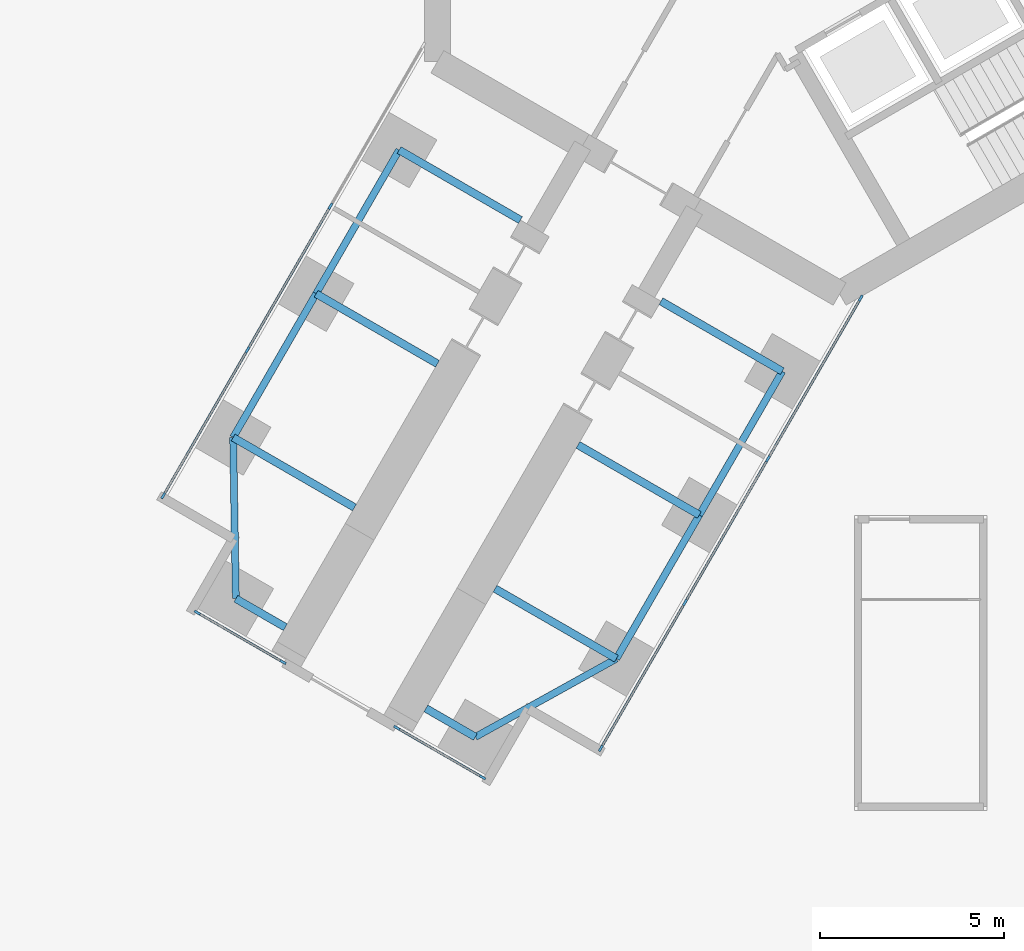
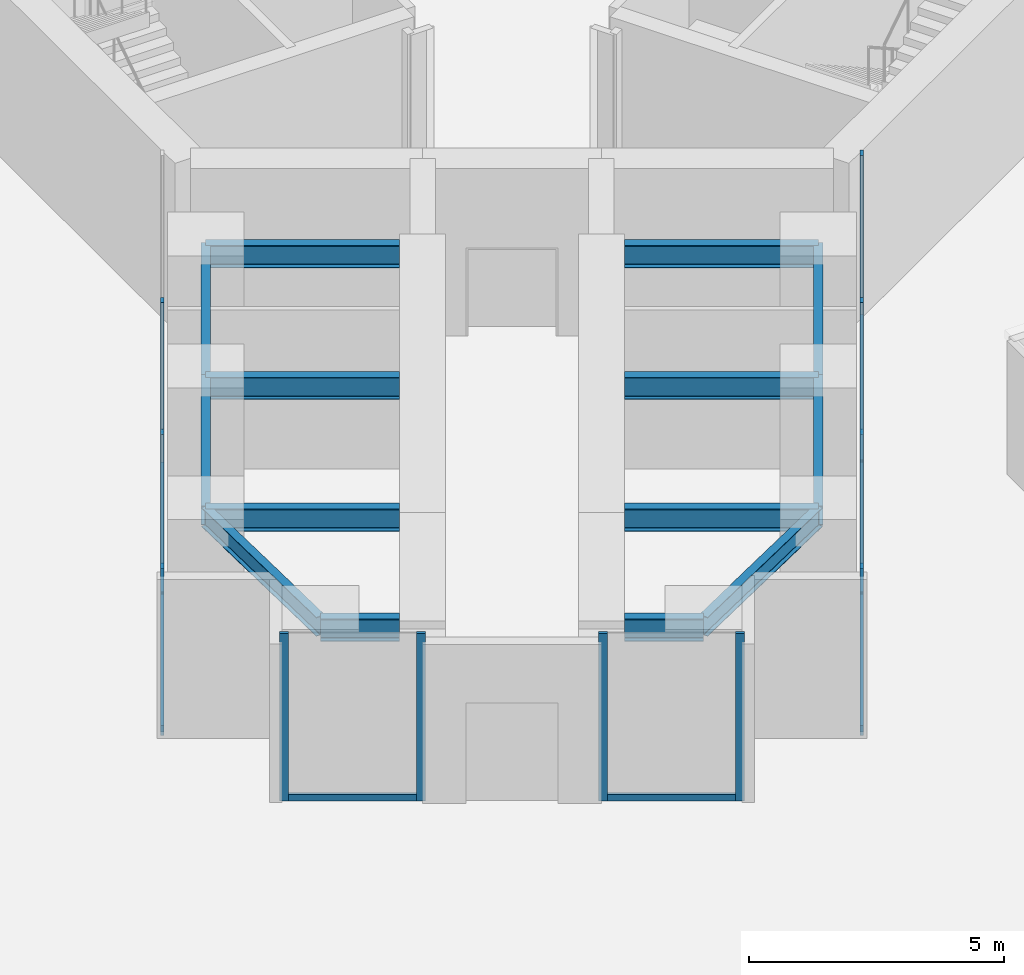
# One storey, part 2 of 23: 18 members, 14 beams, 4 elements without a shape of their own.
"""IFC4 building model written with IfcOpenShell, lengths in metres."""

from ifc_helpers import new_model, si_unit, direction, frame, origin, origin_2d, place, context, subcontext, project, spatial, rectangle, i_section, extrude, material, material_profile, profile_set, type_object, element, aggregate, save


model = new_model("IFC4")

# Units and contexts
model_context = context("Model", 3, precision=1e-05, world=origin(), true_north=direction((0.0, 1.0)))
body_context = subcontext(model_context, "Body", "Model", "MODEL_VIEW")
ifc_project = project(units=[si_unit("LENGTHUNIT", "METRE"), si_unit("AREAUNIT", "SQUARE_METRE"), si_unit("VOLUMEUNIT", "CUBIC_METRE"), si_unit("PLANEANGLEUNIT", "RADIAN"), si_unit("MASSUNIT", "GRAM", prefix="KILO")], contexts=[model_context])

# Site, building, storey
site_placement = place(None, origin())
site = spatial("IfcSite", under=ifc_project, at=site_placement, CompositionType="ELEMENT")
building_placement = place(site_placement, origin())
building = spatial("IfcBuilding", under=site, at=building_placement, Name="Upepo Twin Towers", CompositionType="ELEMENT")
storey_placement = place(building_placement, frame((0.0, 0.0, 20.5)))
storey = spatial("IfcBuildingStorey", under=building, at=storey_placement, Name="L04", CompositionType="ELEMENT", Elevation=20.5)

# Beams
ifc_material_1 = material(Name="Steel S355", Category="steel")
ifc_material_profile_1 = material_profile(ifc_material_1, i_section(OverallWidth=0.1904296875, OverallDepth=0.45703125, WebThickness=0.009033203125, FlangeThickness=0.014404296875, FilletRadius=0.01025390625, at=origin_2d()), Name="UB 457x191x74")
ifc_profile_set_1 = profile_set([ifc_material_profile_1], Name="Steel S355")
beam_type_1 = type_object("IfcBeamType", Name="Beam UB 457x191x74", PredefinedType="BEAM", material=ifc_profile_set_1)
beam_1_placement = place(storey_placement, frame((-1.553955078125, -14.69140625, 3.571533203125), z_axis=(-0.500013631625, -0.866017533419, 0.0), x_axis=(0.866017533419, -0.500013631625, 0.0)))
element("IfcBeam", 1, at=beam_1_placement, inside=storey, type_object=beam_type_1, Name="T1 edge beam CL 13.5-18.0", PredefinedType="BEAM", context=body_context, shape_type="SweptSolid", body=[
    extrude(i_section(OverallWidth=0.1904296875, OverallDepth=0.45703125, WebThickness=0.009033203125, FlangeThickness=0.014404296875, FilletRadius=0.01025390625, at=origin_2d()), origin(), (0.0, 0.0, 1.0), 4.499755859375),
])
beam_2_placement = place(storey_placement, frame((-3.803955078125, -18.58837890625, 3.571533203125), z_axis=(-0.499990139034, -0.866031096941, 0.0), x_axis=(0.866031096941, -0.499990139034, 0.0)))
element("IfcBeam", 2, at=beam_2_placement, inside=storey, type_object=beam_type_1, Name="T1 edge beam CL 18.0-22.5", PredefinedType="BEAM", context=body_context, shape_type="SweptSolid", body=[
    extrude(i_section(OverallWidth=0.1904296875, OverallDepth=0.45703125, WebThickness=0.009033203125, FlangeThickness=0.014404296875, FilletRadius=0.01025390625, at=origin_2d()), origin(), (0.0, 0.0, 1.0), 4.5),
])
beam_3_placement = place(storey_placement, frame((-6.053955078125, -22.485595703125, 3.571533203125), z_axis=(-0.874312600038, -0.485363242752, 0.0), x_axis=(0.485363242752, -0.874312600038, 0.0)))
element("IfcBeam", 3, at=beam_3_placement, inside=storey, type_object=beam_type_1, Name="T1 nose edge beam CL", PredefinedType="BEAM", context=body_context, shape_type="SweptSolid", body=[
    extrude(i_section(OverallWidth=0.1904296875, OverallDepth=0.45703125, WebThickness=0.009033203125, FlangeThickness=0.014404296875, FilletRadius=0.01025390625, at=origin_2d()), origin(), (0.0, 0.0, 1.0), 4.373046875),
])
beam_4_placement = place(storey_placement, frame((-11.946044921875, -8.69140625, 3.571533203125), z_axis=(-0.500013631625, -0.866017533419, 0.0), x_axis=(0.866017533419, -0.500013631625, 0.0)))
element("IfcBeam", 4, at=beam_4_placement, inside=storey, type_object=beam_type_1, Name="T1 edge beam CR 13.5-18.0", PredefinedType="BEAM", context=body_context, shape_type="SweptSolid", body=[
    extrude(i_section(OverallWidth=0.1904296875, OverallDepth=0.45703125, WebThickness=0.009033203125, FlangeThickness=0.014404296875, FilletRadius=0.01025390625, at=origin_2d()), origin(), (0.0, 0.0, 1.0), 4.499755859375),
])
beam_5_placement = place(storey_placement, frame((-14.196044921875, -12.58837890625, 3.571533203125), z_axis=(-0.499990139034, -0.866031096941, 0.0), x_axis=(0.866031096941, -0.499990139034, 0.0)))
element("IfcBeam", 5, at=beam_5_placement, inside=storey, type_object=beam_type_1, Name="T1 edge beam CR 18.0-22.5", PredefinedType="BEAM", context=body_context, shape_type="SweptSolid", body=[
    extrude(i_section(OverallWidth=0.1904296875, OverallDepth=0.45703125, WebThickness=0.009033203125, FlangeThickness=0.014404296875, FilletRadius=0.01025390625, at=origin_2d()), origin(), (0.0, 0.0, 1.0), 4.5),
])
beam_6_placement = place(storey_placement, frame((-16.446044921875, -16.485595703125, 3.571533203125), z_axis=(0.016803880528, -0.999858804832, 0.0), x_axis=(0.999858804832, 0.016803880528, 0.0)))
element("IfcBeam", 6, at=beam_6_placement, inside=storey, type_object=beam_type_1, Name="T1 nose edge beam CR", PredefinedType="BEAM", context=body_context, shape_type="SweptSolid", body=[
    extrude(i_section(OverallWidth=0.1904296875, OverallDepth=0.45703125, WebThickness=0.009033203125, FlangeThickness=0.014404296875, FilletRadius=0.01025390625, at=origin_2d()), origin(), (0.0, 0.0, 1.0), 4.373291015625),
])
ifc_material_2 = material(Name="Steel S355", Category="steel")
ifc_material_profile_2 = material_profile(ifc_material_2, i_section(OverallWidth=0.2099609375, OverallDepth=0.53662109375, WebThickness=0.0107421875, FlangeThickness=0.017333984375, FilletRadius=0.0126953125, at=origin_2d()), Name="UB 533x210x101")
ifc_profile_set_2 = profile_set([ifc_material_profile_2], Name="Steel S355")
beam_type_2 = type_object("IfcBeamType", Name="Beam UB 533x210x101", PredefinedType="BEAM", material=ifc_profile_set_2)
for number, where, z_axis, x_axis, name in (
    (7, (-9.87744140625, -24.608154296875, 3.53173828125), (-0.866043940782, 0.499967891604, 0.0), (-0.499967891604, -0.866043940782, 0.0), "T1 nose beam CL"),
    (8, (-16.37255859375, -20.858154296875, 3.53173828125), (0.866043940782, -0.499967891604, 0.0), (0.499967891604, 0.866043940782, 0.0), "T1 nose beam CR"),
):
    element("IfcBeam", number, at=place(storey_placement, frame(where, z_axis=z_axis, x_axis=x_axis)), inside=storey, type_object=beam_type_2, Name=name, PredefinedType="BEAM", context=body_context, shape_type="SweptSolid", body=[
        extrude(i_section(OverallWidth=0.2099609375, OverallDepth=0.53662109375, WebThickness=0.0107421875, FlangeThickness=0.017333984375, FilletRadius=0.0126953125, at=origin_2d()), origin(), (0.0, 0.0, 1.0), 1.5498046875),
    ])
ifc_material_3 = material(Name="Steel S355", Category="steel")
ifc_material_profile_3 = material_profile(ifc_material_3, i_section(OverallWidth=0.209228515625, OverallDepth=0.533203125, WebThickness=0.010009765625, FlangeThickness=0.015625, FilletRadius=0.0126953125, at=origin_2d()), Name="UB 533x210x92")
ifc_profile_set_3 = profile_set([ifc_material_profile_3], Name="Steel S355")
beam_type_3 = type_object("IfcBeamType", Name="Beam UB 533x210x92", PredefinedType="BEAM", material=ifc_profile_set_3)
beam_7_placement = place(storey_placement, frame((-1.553955078125, -14.69140625, 3.533447265625), z_axis=(-0.866000483506, 0.500043160704, 0.0), x_axis=(-0.500043160704, -0.866000483506, 0.0)))
element("IfcBeam", 9, at=beam_7_placement, inside=storey, type_object=beam_type_3, Name="T1 girder CL at 13.5", PredefinedType="BEAM", context=body_context, shape_type="SweptSolid", body=[
    extrude(i_section(OverallWidth=0.209228515625, OverallDepth=0.533203125, WebThickness=0.010009765625, FlangeThickness=0.015625, FilletRadius=0.0126953125, at=origin_2d()), origin(), (0.0, 0.0, 1.0), 3.800048828125),
])
for number, where, z_axis, x_axis, name in (
    (10, (-3.803955078125, -18.58837890625, 3.533447265625), (-0.866028304915, 0.499994975061, 0.0), (-0.499994975061, -0.866028304915, 0.0), "T1 girder CL at 18.0"),
    (11, (-6.053955078125, -22.485595703125, 3.533447265625), (-0.866028304915, 0.499994975061, 0.0), (-0.499994975061, -0.866028304915, 0.0), "T1 girder CL at 22.5"),
    (12, (-11.946044921875, -8.69140625, 3.533447265625), (0.866028304915, -0.499994975061, 0.0), (0.499994975061, 0.866028304915, 0.0), "T1 girder CR at 13.5"),
):
    element("IfcBeam", number, at=place(storey_placement, frame(where, z_axis=z_axis, x_axis=x_axis)), inside=storey, type_object=beam_type_3, Name=name, PredefinedType="BEAM", context=body_context, shape_type="SweptSolid", body=[
        extrude(i_section(OverallWidth=0.209228515625, OverallDepth=0.533203125, WebThickness=0.010009765625, FlangeThickness=0.015625, FilletRadius=0.0126953125, at=origin_2d()), origin(), (0.0, 0.0, 1.0), 3.7998046875),
    ])
beam_8_placement = place(storey_placement, frame((-14.196044921875, -12.58837890625, 3.533447265625), z_axis=(0.866000483506, -0.500043160704, 0.0), x_axis=(0.500043160704, 0.866000483506, 0.0)))
element("IfcBeam", 13, at=beam_8_placement, inside=storey, type_object=beam_type_3, Name="T1 girder CR at 18.0", PredefinedType="BEAM", context=body_context, shape_type="SweptSolid", body=[
    extrude(i_section(OverallWidth=0.209228515625, OverallDepth=0.533203125, WebThickness=0.010009765625, FlangeThickness=0.015625, FilletRadius=0.0126953125, at=origin_2d()), origin(), (0.0, 0.0, 1.0), 3.800048828125),
])
beam_9_placement = place(storey_placement, frame((-16.446044921875, -16.485595703125, 3.533447265625), z_axis=(0.866028304915, -0.499994975061, 0.0), x_axis=(0.499994975061, 0.866028304915, 0.0)))
element("IfcBeam", 14, at=beam_9_placement, inside=storey, type_object=beam_type_3, Name="T1 girder CR at 22.5", PredefinedType="BEAM", context=body_context, shape_type="SweptSolid", body=[
    extrude(i_section(OverallWidth=0.209228515625, OverallDepth=0.533203125, WebThickness=0.010009765625, FlangeThickness=0.015625, FilletRadius=0.0126953125, at=origin_2d()), origin(), (0.0, 0.0, 1.0), 3.7998046875),
])

# Curtain wall, members
ifc_material_4 = material(Name="Aluminium and fritted glass", Category="aluminium")
curtain_wall_type = type_object("IfcCurtainWallType", Name="Tower curtain wall TW1, fritted glass", PredefinedType="NOTDEFINED", material=ifc_material_4)
curtain_wall_1_placement = place(storey_placement, origin())
curtain_wall_1 = element("IfcCurtainWall", 15, at=curtain_wall_1_placement, inside=storey, type_object=curtain_wall_type, Name="T1 L04 wing C flank L curtain wall", PredefinedType="NOTDEFINED")
ifc_material_5 = material(Name="Aluminium mullion", Category="aluminium")
ifc_material_profile_4 = material_profile(ifc_material_5, rectangle(XDim=0.06494140625, YDim=0.179931640625, at=origin_2d()), Name="MULLION 65x180")
ifc_profile_set_4 = profile_set([ifc_material_profile_4], Name="Aluminium mullion")
member_type_1 = type_object("IfcMemberType", Name="Mullion 65x180 TW1", PredefinedType="MULLION", material=ifc_profile_set_4)
member_1_placement = place(storey_placement, frame((0.572509765625, -12.70849609375, 0.0), z_axis=(0.0, 0.0, 1.0), x_axis=(0.866025389682, -0.500000024426, 0.0)))
member_1 = element("IfcMember", 16, at=member_1_placement, type_object=member_type_1, Name="T1 L04 wing C flank L curtain wall mullion 1", PredefinedType="MULLION", context=body_context, shape_type="SweptSolid", body=[
    extrude(rectangle(XDim=0.06494140625, YDim=0.179931640625, at=origin_2d()), origin(), (0.0, 0.0, 1.0), 4.0),
])
member_2_placement = place(storey_placement, frame((-1.942626953125, -17.06494140625, 0.0), z_axis=(0.0, 0.0, 1.0), x_axis=(0.866025389682, -0.500000024426, 0.0)))
member_2 = element("IfcMember", 17, at=member_2_placement, type_object=member_type_1, Name="T1 L04 wing C flank L curtain wall mullion 2", PredefinedType="MULLION", context=body_context, shape_type="SweptSolid", body=[
    extrude(rectangle(XDim=0.06494140625, YDim=0.179931640625, at=origin_2d()), origin(), (0.0, 0.0, 1.0), 4.0),
])
member_3_placement = place(storey_placement, frame((-4.192626953125, -20.9619140625, 0.0), z_axis=(0.0, 0.0, 1.0), x_axis=(0.866025389682, -0.500000024426, 0.0)))
member_3 = element("IfcMember", 18, at=member_3_placement, type_object=member_type_1, Name="T1 L04 wing C flank L curtain wall mullion 3", PredefinedType="MULLION", context=body_context, shape_type="SweptSolid", body=[
    extrude(rectangle(XDim=0.06494140625, YDim=0.179931640625, at=origin_2d()), origin(), (0.0, 0.0, 1.0), 4.0),
])
member_4_placement = place(storey_placement, frame((-6.4765625, -24.91748046875, 0.0), z_axis=(0.0, 0.0, 1.0), x_axis=(0.866025389682, -0.500000024426, 0.0)))
member_4 = element("IfcMember", 19, at=member_4_placement, type_object=member_type_1, Name="T1 L04 wing C flank L curtain wall mullion 4", PredefinedType="MULLION", context=body_context, shape_type="SweptSolid", body=[
    extrude(rectangle(XDim=0.06494140625, YDim=0.179931640625, at=origin_2d()), origin(), (0.0, 0.0, 1.0), 4.0),
])

curtain_wall_2_placement = place(storey_placement, origin())
curtain_wall_2 = element("IfcCurtainWall", 20, at=curtain_wall_2_placement, inside=storey, type_object=curtain_wall_type, Name="T1 L04 wing C flank R curtain wall", PredefinedType="NOTDEFINED")
member_5_placement = place(storey_placement, frame((-18.341064453125, -18.067626953125, 0.0), z_axis=(0.0, 0.0, 1.0), x_axis=(-0.866025389682, 0.500000024426, 0.0)))
member_5 = element("IfcMember", 21, at=member_5_placement, type_object=member_type_1, Name="T1 L04 wing C flank R curtain wall mullion 1", PredefinedType="MULLION", context=body_context, shape_type="SweptSolid", body=[
    extrude(rectangle(XDim=0.06494140625, YDim=0.179931640625, at=origin_2d()), origin(), (0.0, 0.0, 1.0), 4.0),
])
member_6_placement = place(storey_placement, frame((-16.057373046875, -14.112060546875, 0.0), z_axis=(0.0, 0.0, 1.0), x_axis=(-0.866025389682, 0.500000024426, 0.0)))
member_6 = element("IfcMember", 22, at=member_6_placement, type_object=member_type_1, Name="T1 L04 wing C flank R curtain wall mullion 2", PredefinedType="MULLION", context=body_context, shape_type="SweptSolid", body=[
    extrude(rectangle(XDim=0.06494140625, YDim=0.179931640625, at=origin_2d()), origin(), (0.0, 0.0, 1.0), 4.0),
])
member_7_placement = place(storey_placement, frame((-13.807373046875, -10.21484375, 0.0), z_axis=(0.0, 0.0, 1.0), x_axis=(-0.866025389682, 0.500000024426, 0.0)))
member_7 = element("IfcMember", 23, at=member_7_placement, type_object=member_type_1, Name="T1 L04 wing C flank R curtain wall mullion 3", PredefinedType="MULLION", context=body_context, shape_type="SweptSolid", body=[
    extrude(rectangle(XDim=0.06494140625, YDim=0.179931640625, at=origin_2d()), origin(), (0.0, 0.0, 1.0), 4.0),
])

curtain_wall_3_placement = place(storey_placement, origin())
curtain_wall_3 = element("IfcCurtainWall", 24, at=curtain_wall_3_placement, inside=storey, type_object=curtain_wall_type, Name="T1 L04 wing C nose curtain wall 0", PredefinedType="NOTDEFINED")
member_8_placement = place(storey_placement, frame((-17.4189453125, -21.235595703125, 0.0), z_axis=(0.0, 0.0, 1.0), x_axis=(0.499999978023, 0.866025416473, 0.0)))
member_8 = element("IfcMember", 25, at=member_8_placement, type_object=member_type_1, Name="T1 L04 wing C nose curtain wall 0 mullion 1", PredefinedType="MULLION", context=body_context, shape_type="SweptSolid", body=[
    extrude(rectangle(XDim=0.06494140625, YDim=0.179931640625, at=origin_2d()), origin(), (0.0, 0.0, 1.0), 4.0),
])
member_9_placement = place(storey_placement, frame((-15.09375, -22.578125, 0.0), z_axis=(0.0, 0.0, 1.0), x_axis=(0.499999978023, 0.866025416473, 0.0)))
member_9 = element("IfcMember", 26, at=member_9_placement, type_object=member_type_1, Name="T1 L04 wing C nose curtain wall 0 mullion 2", PredefinedType="MULLION", context=body_context, shape_type="SweptSolid", body=[
    extrude(rectangle(XDim=0.06494140625, YDim=0.179931640625, at=origin_2d()), origin(), (0.0, 0.0, 1.0), 4.0),
])

curtain_wall_4_placement = place(storey_placement, origin())
curtain_wall_4 = element("IfcCurtainWall", 27, at=curtain_wall_4_placement, inside=storey, type_object=curtain_wall_type, Name="T1 L04 wing C nose curtain wall 2", PredefinedType="NOTDEFINED")
member_10_placement = place(storey_placement, frame((-12.00634765625, -24.360595703125, 0.0), z_axis=(0.0, 0.0, 1.0), x_axis=(0.499999978023, 0.866025416473, 0.0)))
member_10 = element("IfcMember", 28, at=member_10_placement, type_object=member_type_1, Name="T1 L04 wing C nose curtain wall 2 mullion 1", PredefinedType="MULLION", context=body_context, shape_type="SweptSolid", body=[
    extrude(rectangle(XDim=0.06494140625, YDim=0.179931640625, at=origin_2d()), origin(), (0.0, 0.0, 1.0), 4.0),
])
member_11_placement = place(storey_placement, frame((-9.68115234375, -25.703125, 0.0), z_axis=(0.0, 0.0, 1.0), x_axis=(0.499999978023, 0.866025416473, 0.0)))
member_11 = element("IfcMember", 29, at=member_11_placement, type_object=member_type_1, Name="T1 L04 wing C nose curtain wall 2 mullion 2", PredefinedType="MULLION", context=body_context, shape_type="SweptSolid", body=[
    extrude(rectangle(XDim=0.06494140625, YDim=0.179931640625, at=origin_2d()), origin(), (0.0, 0.0, 1.0), 4.0),
])

# Member
ifc_material_6 = material(Name="Aluminium transom", Category="aluminium")
ifc_material_profile_5 = material_profile(ifc_material_6, rectangle(XDim=0.06494140625, YDim=0.14990234375, at=origin_2d()), Name="TRANSOM 65x150")
ifc_profile_set_5 = profile_set([ifc_material_profile_5], Name="Aluminium transom")
member_type_2 = type_object("IfcMemberType", Name="Transom 65x150 TW1", PredefinedType="USERDEFINED", material=ifc_profile_set_5)
member_12_placement = place(storey_placement, frame((0.55615234375, -12.736572265625, 0.074951171875), z_axis=(-0.499983492876, -0.866034933967, 0.0), x_axis=(0.866034933967, -0.499983492876, 0.0)))
member_12 = element("IfcMember", 30, at=member_12_placement, type_object=member_type_2, Name="T1 L04 wing C flank L curtain wall transom 1", ObjectType="TRANSOM", PredefinedType="USERDEFINED", context=body_context, shape_type="SweptSolid", body=[
    extrude(rectangle(XDim=0.06494140625, YDim=0.14990234375, at=origin_2d()), origin(), (0.0, 0.0, 1.0), 4.965576171875),
])

member_13_placement = place(storey_placement, frame((-1.958984375, -17.093017578125, 0.074951171875), z_axis=(-0.500005184116, -0.866022410713, 0.0), x_axis=(0.866022410713, -0.500005184116, 0.0)))
member_13 = element("IfcMember", 31, at=member_13_placement, type_object=member_type_2, Name="T1 L04 wing C flank L curtain wall transom 2", ObjectType="TRANSOM", PredefinedType="USERDEFINED", context=body_context, shape_type="SweptSolid", body=[
    extrude(rectangle(XDim=0.06494140625, YDim=0.14990234375, at=origin_2d()), origin(), (0.0, 0.0, 1.0), 4.43505859375),
])

member_14_placement = place(storey_placement, frame((-4.208984375, -20.990234375, 0.074951171875), z_axis=(-0.500005646842, -0.866022143554, 0.0), x_axis=(0.866022143554, -0.500005646842, 0.0)))
member_14 = element("IfcMember", 32, at=member_14_placement, type_object=member_type_2, Name="T1 L04 wing C flank L curtain wall transom 3", ObjectType="TRANSOM", PredefinedType="USERDEFINED", context=body_context, shape_type="SweptSolid", body=[
    extrude(rectangle(XDim=0.06494140625, YDim=0.14990234375, at=origin_2d()), origin(), (0.0, 0.0, 1.0), 4.50244140625),
])

aggregate(curtain_wall_1, [member_1, member_2, member_3, member_4, member_12, member_13, member_14])

member_15_placement = place(storey_placement, frame((-18.32470703125, -18.03955078125, 0.074951171875), z_axis=(0.499982167615, 0.866035699072, 0.0), x_axis=(-0.866035699072, 0.499982167615, 0.0)))
member_15 = element("IfcMember", 33, at=member_15_placement, type_object=member_type_2, Name="T1 L04 wing C flank R curtain wall transom 1", ObjectType="TRANSOM", PredefinedType="USERDEFINED", context=body_context, shape_type="SweptSolid", body=[
    extrude(rectangle(XDim=0.06494140625, YDim=0.14990234375, at=origin_2d()), origin(), (0.0, 0.0, 1.0), 4.502685546875),
])

member_16_placement = place(storey_placement, frame((-16.041015625, -14.083984375, 0.074951171875), z_axis=(0.500005184116, 0.866022410713, 0.0), x_axis=(-0.866022410713, 0.500005184116, 0.0)))
member_16 = element("IfcMember", 34, at=member_16_placement, type_object=member_type_2, Name="T1 L04 wing C flank R curtain wall transom 2", ObjectType="TRANSOM", PredefinedType="USERDEFINED", context=body_context, shape_type="SweptSolid", body=[
    extrude(rectangle(XDim=0.06494140625, YDim=0.14990234375, at=origin_2d()), origin(), (0.0, 0.0, 1.0), 4.43505859375),
])

aggregate(curtain_wall_2, [member_5, member_6, member_7, member_15, member_16])

member_17_placement = place(storey_placement, frame((-17.390869140625, -21.251708984375, 0.074951171875), z_axis=(0.866021102686, -0.500007449647, 0.0), x_axis=(0.500007449647, 0.866021102686, 0.0)))
member_17 = element("IfcMember", 35, at=member_17_placement, type_object=member_type_2, Name="T1 L04 wing C nose curtain wall 0 transom 1", ObjectType="TRANSOM", PredefinedType="USERDEFINED", context=body_context, shape_type="SweptSolid", body=[
    extrude(rectangle(XDim=0.06494140625, YDim=0.14990234375, at=origin_2d()), origin(), (0.0, 0.0, 1.0), 2.6201171875),
])

aggregate(curtain_wall_3, [member_8, member_9, member_17])

member_18_placement = place(storey_placement, frame((-11.978271484375, -24.376708984375, 0.074951171875), z_axis=(0.866021102686, -0.500007449647, 0.0), x_axis=(0.500007449647, 0.866021102686, 0.0)))
member_18 = element("IfcMember", 36, at=member_18_placement, type_object=member_type_2, Name="T1 L04 wing C nose curtain wall 2 transom 1", ObjectType="TRANSOM", PredefinedType="USERDEFINED", context=body_context, shape_type="SweptSolid", body=[
    extrude(rectangle(XDim=0.06494140625, YDim=0.14990234375, at=origin_2d()), origin(), (0.0, 0.0, 1.0), 2.6201171875),
])

aggregate(curtain_wall_4, [member_10, member_11, member_18])

save(model, "model.ifc")
